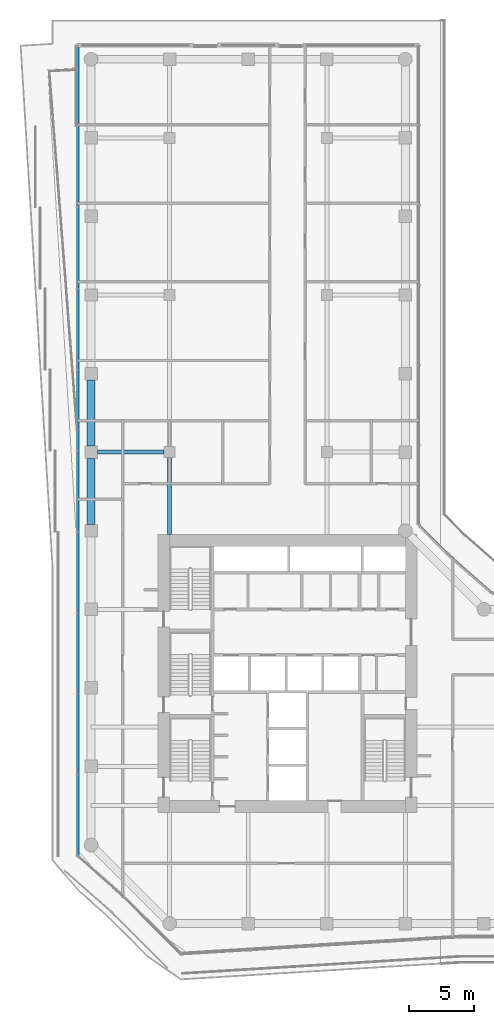
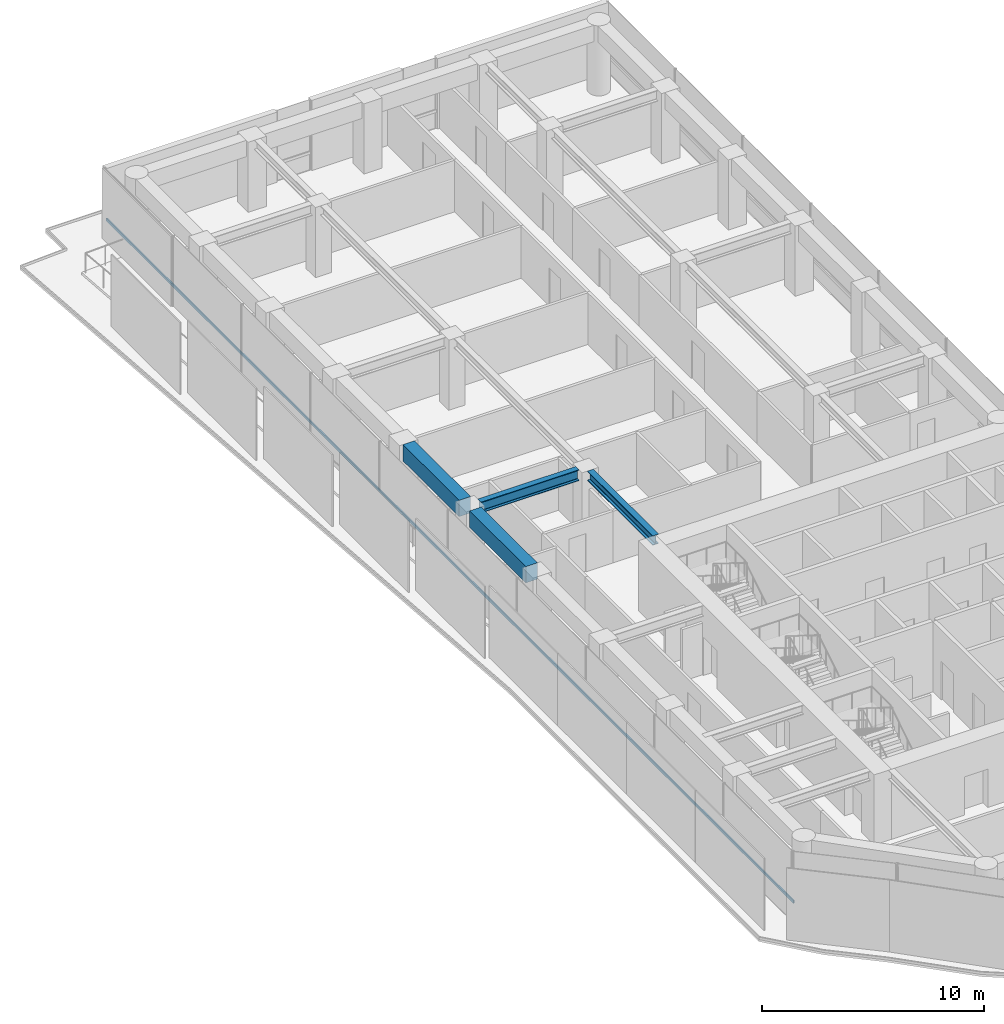
# One storey, part 13 of 29: 4 beams, 1 member, 1 element without a shape of its own.
"""IFC4 building model written with IfcOpenShell, lengths in metres."""

import ifcopenshell
import ifcopenshell.guid

model = None  # the IFC model being written
_history = None  # IfcOwnerHistory: only IFC2X3 demands one
_inside = {}  # id of a spatial element -> (the spatial element, [elements in it])
_under = {}  # id of a project, library or spatial element -> (it, [spatial elements below it])
_declared = {}  # id of a project -> (the project, [libraries it declares])
_typed = {}  # id of a type object -> (the type object, [elements of that type])
_made_of = {}  # id of a material, layer set ... -> (it, [elements and type objects made of it])


def new_model(schema):
    """Start an empty IFC model of exactly this schema.

    Asked for "IFC4X3", IfcOpenShell would pick the latest addendum, in which some entities
    have other attributes; the version numbers below select the first issue.
    IFC2X3 requires an IfcOwnerHistory on every rooted entity: one is made here for all.
    """
    global model, _history
    if schema == "IFC4X3":
        model = ifcopenshell.file(schema_version=(4, 3, 0, 0))
    else:
        model = ifcopenshell.file(schema=schema)
    _inside.clear()
    _under.clear()
    _declared.clear()
    _typed.clear()
    _made_of.clear()
    _history = None
    if model.schema == "IFC2X3":
        org = make("IfcOrganization", Name="unknown")
        user = make(
            "IfcPersonAndOrganization",
            ThePerson=make("IfcPerson", FamilyName="unknown"),
            TheOrganization=org,
        )
        app = make(
            "IfcApplication",
            ApplicationDeveloper=org,
            Version="unknown",
            ApplicationFullName="unknown",
            ApplicationIdentifier="unknown",
        )
        _history = make(
            "IfcOwnerHistory",
            OwningUser=user,
            OwningApplication=app,
            ChangeAction="ADDED",
            CreationDate=0,
        )
    return model


def make(cls, **values):
    """One entity of the class cls with the attributes given. An attribute that is None is left unset."""
    return model.create_entity(
        cls, **{name: value for name, value in values.items() if value is not None}
    )


def rooted(cls, **values):
    """An entity with a GlobalId (a new one), such as an element, a storey or a relation."""
    return make(cls, GlobalId=ifcopenshell.guid.new(), OwnerHistory=_history, **values)


def si_unit(unit_type, name, prefix=None):
    """IfcSIUnit, for example si_unit("LENGTHUNIT", "METRE", prefix="MILLI")."""
    return make("IfcSIUnit", UnitType=unit_type, Prefix=prefix, Name=name)


def assignment(units):
    """IfcUnitAssignment: the units of a project."""
    return None if units is None else make("IfcUnitAssignment", Units=units)


def point(xyz):
    """IfcCartesianPoint."""
    return None if xyz is None else make("IfcCartesianPoint", Coordinates=xyz)


def direction(xyz):
    """IfcDirection."""
    return None if xyz is None else make("IfcDirection", DirectionRatios=xyz)


def frame(location, z_axis=None, x_axis=None):
    """IfcAxis2Placement3D, a coordinate frame: its origin and axes. An axis left out is left unset."""
    return make(
        "IfcAxis2Placement3D",
        Location=point(location),
        Axis=direction(z_axis),
        RefDirection=direction(x_axis),
    )


def frame_2d(location, x_axis=None):
    """IfcAxis2Placement2D, a coordinate frame in the plane: its origin and x axis."""
    return make(
        "IfcAxis2Placement2D", Location=point(location), RefDirection=direction(x_axis)
    )


def origin():
    """The frame at (0, 0, 0) with its axes left unset."""
    return frame((0.0, 0.0, 0.0))


def origin_2d():
    """The frame at (0, 0) in the plane with its x axis left unset."""
    return frame_2d((0.0, 0.0))


def place(relative_to, where):
    """IfcLocalPlacement: puts the frame where relative to a parent placement (None: the world)."""
    return make(
        "IfcLocalPlacement", PlacementRelTo=relative_to, RelativePlacement=where
    )


def context(
    kind, dimensions, precision=None, world=None, true_north=None, identifier=None
):
    """IfcGeometricRepresentationContext, for example the 3D "Model" context."""
    return make(
        "IfcGeometricRepresentationContext",
        ContextIdentifier=identifier,
        ContextType=kind,
        CoordinateSpaceDimension=dimensions,
        Precision=precision,
        WorldCoordinateSystem=world,
        TrueNorth=true_north,
    )


def subcontext(parent, identifier, kind, view, scale=None):
    """IfcGeometricRepresentationSubContext, for example "Body" below "Model"."""
    return make(
        "IfcGeometricRepresentationSubContext",
        ContextIdentifier=identifier,
        ContextType=kind,
        ParentContext=parent,
        TargetScale=scale,
        TargetView=view,
    )


def project(units=None, contexts=None):
    """IfcProject with its units and contexts."""
    return rooted(
        "IfcProject",
        Name="project",
        RepresentationContexts=contexts,
        UnitsInContext=assignment(units),
    )


def spatial(cls, under=None, at=None, **own):
    """A site, building, storey or space (cls), placed at a placement, below another one or the project."""
    s = rooted(cls, ObjectPlacement=at, **own)
    if under is not None:
        _under.setdefault(under.id(), (under, []))[1].append(s)
    return s


def profile(cls, at=None, kind="AREA", **sizes):
    """A parametric profile (cls). Its sizes go by their IFC names, for example OverallWidth=200.0."""
    return make(cls, ProfileType=kind, Position=at, **sizes)


def rectangle(**sizes):
    """IfcRectangleProfileDef."""
    return profile("IfcRectangleProfileDef", **sizes)


def i_section(**sizes):
    """IfcIShapeProfileDef."""
    return profile("IfcIShapeProfileDef", **sizes)


def extrude(swept, where, along, depth):
    """IfcExtrudedAreaSolid: the profile swept, set in the frame where, extruded along a direction by depth."""
    return make(
        "IfcExtrudedAreaSolid",
        SweptArea=swept,
        Position=where,
        ExtrudedDirection=direction(along),
        Depth=depth,
    )


def shape(context_of_items, identifier, shape_type, items):
    """IfcShapeRepresentation: the items that make up one representation, for example the "Body"."""
    return make(
        "IfcShapeRepresentation",
        ContextOfItems=context_of_items,
        RepresentationIdentifier=identifier,
        RepresentationType=shape_type,
        Items=items,
    )


def material(Name=None, Category=None):
    """IfcMaterial."""
    return make("IfcMaterial", Name=Name, Category=Category)


def layer(
    of_material, thickness, ventilated=None, Name=None, Category=None, Priority=None
):
    """IfcMaterialLayer: one layer of a wall or slab, of a material (None: an air gap)."""
    return make(
        "IfcMaterialLayer",
        Material=of_material,
        LayerThickness=thickness,
        IsVentilated=ventilated,
        Name=Name,
        Category=Category,
        Priority=Priority,
    )


def layer_set(layers, Name=None):
    """IfcMaterialLayerSet."""
    return make("IfcMaterialLayerSet", MaterialLayers=layers, LayerSetName=Name)


def material_profile(
    of_material, cross_section, Name=None, Category=None, Priority=None
):
    """IfcMaterialProfile: a cross section and its material."""
    return make(
        "IfcMaterialProfile",
        Name=Name,
        Material=of_material,
        Profile=cross_section,
        Priority=Priority,
        Category=Category,
    )


def profile_set(profiles, Name=None, composite=None):
    """IfcMaterialProfileSet."""
    return make(
        "IfcMaterialProfileSet",
        Name=Name,
        MaterialProfiles=profiles,
        CompositeProfile=composite,
    )


def made_of(thing, what):
    """Note that an element or type object is made of a material, layer set ...; save() writes the relation."""
    if what is not None:
        _made_of.setdefault(what.id(), (what, []))[1].append(thing)
    return thing


def type_object(cls, material=None, **own):
    """A type object (cls), such as IfcWallType, which elements share."""
    return made_of(rooted(cls, **own), material)


def element(
    cls,
    number,
    at=None,
    inside=None,
    cuts=None,
    type_object=None,
    material=None,
    context=None,
    identifier="Body",
    shape_type=None,
    held_by="IfcProductDefinitionShape",
    body=None,
    shapes=None,
    **own,
):
    """One element of the class cls, such as IfcWall. Its Tag is "e" and its number.

    at: its placement. inside: the storey or other place that contains it. cuts: it is an
    opening in that element (IfcRelVoidsElement). A single representation is given by context,
    identifier, shape_type and body (its items); several are given by shapes. held_by: the class
    of the entity that holds the representations. save() writes the other relations.
    """
    e = rooted(cls, Tag="e%d" % number, ObjectPlacement=at, **own)
    if body is not None:
        shapes = [shape(context, identifier, shape_type, body)]
    if shapes is not None:
        e.Representation = make(held_by, Representations=shapes)
    if inside is not None:
        _inside.setdefault(inside.id(), (inside, []))[1].append(e)
    if cuts is not None:
        rooted(
            "IfcRelVoidsElement", RelatingBuildingElement=cuts, RelatedOpeningElement=e
        )
    if type_object is not None:
        _typed.setdefault(type_object.id(), (type_object, []))[1].append(e)
    return made_of(e, material)


def aggregate(whole, parts):
    """IfcRelAggregates: a whole, such as a stair, and the parts it consists of."""
    return rooted("IfcRelAggregates", RelatingObject=whole, RelatedObjects=parts)


def save(model, path):
    """Write the relations noted so far, then the file.

    IfcRelAggregates (storeys below a building ...), IfcRelContainedInSpatialStructure (elements
    in a storey), IfcRelDefinesByType, IfcRelAssociatesMaterial and IfcRelDeclares: one each for
    every whole, place, type object, material and project.
    """
    for whole, parts in _under.values():
        aggregate(whole, parts)
    for where, things in _inside.values():
        rooted(
            "IfcRelContainedInSpatialStructure",
            RelatedElements=things,
            RelatingStructure=where,
        )
    for kind, things in _typed.values():
        rooted("IfcRelDefinesByType", RelatedObjects=things, RelatingType=kind)
    for what, things in _made_of.values():
        rooted("IfcRelAssociatesMaterial", RelatedObjects=things, RelatingMaterial=what)
    for by, libraries in _declared.values():
        rooted("IfcRelDeclares", RelatingContext=by, RelatedDefinitions=libraries)
    model.write(path)


model = new_model("IFC4")

# Units and contexts
model_context = context("Model", 3, precision=1e-05, world=origin(), true_north=direction((0.0, 1.0)))
body_context = subcontext(model_context, "Body", "Model", "MODEL_VIEW")
ifc_project = project(units=[si_unit("LENGTHUNIT", "METRE"), si_unit("AREAUNIT", "SQUARE_METRE"), si_unit("VOLUMEUNIT", "CUBIC_METRE"), si_unit("PLANEANGLEUNIT", "RADIAN"), si_unit("MASSUNIT", "GRAM", prefix="KILO")], contexts=[model_context])

# Site, building, storey
site_placement = place(None, origin())
site = spatial("IfcSite", under=ifc_project, at=site_placement, CompositionType="ELEMENT")
building_placement = place(site_placement, origin())
building = spatial("IfcBuilding", under=site, at=building_placement, Name="Welwitschia Terrace Campus", CompositionType="ELEMENT")
storey_placement = place(building_placement, frame((0.0, 0.0, 66.800048828125)))
storey = spatial("IfcBuildingStorey", under=building, at=storey_placement, Name="L15", CompositionType="ELEMENT", Elevation=66.800048828125)

# Beams
ifc_material_1 = material(Name="Steel S355", Category="steel")
ifc_material_profile_1 = material_profile(ifc_material_1, i_section(OverallWidth=0.305908203125, OverallDepth=0.52392578125, WebThickness=0.02099609375, FlangeThickness=0.0400390625, FilletRadius=0.027099609375, at=origin_2d()))
ifc_profile_set_1 = profile_set([ifc_material_profile_1], Name="Steel S355")
beam_type_1 = type_object("IfcBeamType", Name="Interior girder HE 500 M", PredefinedType="BEAM", material=ifc_profile_set_1)
beam_1_placement = place(storey_placement, frame((6.0, 25.700927734375, 3.587890625), z_axis=(0.0, 1.0, 0.0), x_axis=(-1.0, 0.0, 0.0)))
element("IfcBeam", 1, at=beam_1_placement, inside=storey, type_object=beam_type_1, Name="Girder GB2", PredefinedType="BEAM", context=body_context, shape_type="SweptSolid", body=[
    extrude(i_section(OverallWidth=0.305908203125, OverallDepth=0.52392578125, WebThickness=0.02099609375, FlangeThickness=0.0400390625, FilletRadius=0.027099609375, at=origin_2d()), origin(), (0.0, 0.0, 1.0), 5.87353515625),
])
ifc_material_2 = material(Name="Steel S355", Category="steel")
ifc_material_profile_2 = material_profile(ifc_material_2, i_section(OverallWidth=0.300048828125, OverallDepth=0.60009765625, WebThickness=0.015380859375, FlangeThickness=0.030029296875, FilletRadius=0.027099609375, at=origin_2d()))
ifc_profile_set_2 = profile_set([ifc_material_profile_2], Name="Steel S355")
beam_type_2 = type_object("IfcBeamType", Name="Primary beam HE 600 B", PredefinedType="BEAM", material=ifc_profile_set_2)
beam_2_placement = place(storey_placement, frame((0.4755859375, 32.0, 3.550048828125), z_axis=(1.0, 0.0, 0.0), x_axis=(0.0, 1.0, 0.0)))
element("IfcBeam", 2, at=beam_2_placement, inside=storey, type_object=beam_type_2, Name="Primary beam PB2", PredefinedType="BEAM", context=body_context, shape_type="SweptSolid", body=[
    extrude(i_section(OverallWidth=0.300048828125, OverallDepth=0.60009765625, WebThickness=0.015380859375, FlangeThickness=0.030029296875, FilletRadius=0.027099609375, at=origin_2d()), origin(), (0.0, 0.0, 1.0), 5.098876953125),
])
ifc_material_3 = material(Name="Concrete C60/75", Category="concrete")
ifc_material_profile_3 = material_profile(ifc_material_3, rectangle(XDim=0.60009765625, YDim=0.89990234375, at=origin_2d()))
ifc_profile_set_3 = profile_set([ifc_material_profile_3], Name="Concrete C60/75")
beam_type_3 = type_object("IfcBeamType", Name="Ring spandrel 600x900", PredefinedType="SPANDREL", material=ifc_profile_set_3)
for number, where, z_axis, x_axis, name in (
    (3, (0.0, 37.5244140625, 3.39990234375), (0.0, -1.0, 0.0), (1.0, 0.0, 0.0), "Spandrel SP2"),
    (4, (0.0, 31.5244140625, 3.39990234375), (0.0, -1.0, 0.0), (1.0, 0.0, 0.0), "Spandrel SP2"),
):
    element("IfcBeam", number, at=place(storey_placement, frame(where, z_axis=z_axis, x_axis=x_axis)), inside=storey, type_object=beam_type_3, Name=name, PredefinedType="SPANDREL", context=body_context, shape_type="SweptSolid", body=[
        extrude(rectangle(XDim=0.60009765625, YDim=0.89990234375, at=origin_2d()), origin(), (0.0, 0.0, 1.0), 5.048828125),
    ])

# Curtain wall, member
ifc_material_4 = material(Name="Bronze anodised aluminium", Category="aluminium")
ifc_layer = layer(ifc_material_4, 0.1201171875)
ifc_layer_set = layer_set([ifc_layer], Name="Bronze anodised aluminium")
curtain_wall_type = type_object("IfcCurtainWallType", Name="Curtain wall CW2 tower 6000", PredefinedType="NOTDEFINED", material=ifc_layer_set)
curtain_wall_placement = place(storey_placement, origin())
curtain_wall = element("IfcCurtainWall", 5, at=curtain_wall_placement, inside=storey, type_object=curtain_wall_type, Name="CW L15.12.0", PredefinedType="NOTDEFINED")
ifc_material_5 = material(Name="Bronze anodised aluminium", Category="aluminium")
ifc_material_profile_4 = material_profile(ifc_material_5, rectangle(XDim=0.06005859375, YDim=0.14990234375, at=origin_2d()))
ifc_profile_set_4 = profile_set([ifc_material_profile_4], Name="Bronze anodised aluminium")
member_type = type_object("IfcMemberType", Name="Transom 60x150", PredefinedType="USERDEFINED", material=ifc_profile_set_4)
member_placement = place(storey_placement, frame((-0.968017578125, 62.998046875, 1.0), z_axis=(0.0, -1.0, 0.0), x_axis=(1.0, 0.0, 0.0)))
member = element("IfcMember", 6, at=member_placement, type_object=member_type, Name="Transom L15.12.0", ObjectType="TRANSOM", PredefinedType="USERDEFINED", context=body_context, shape_type="SweptSolid", body=[
    extrude(rectangle(XDim=0.06005859375, YDim=0.14990234375, at=origin_2d()), origin(), (0.0, 0.0, 1.0), 61.7890625),
])
aggregate(curtain_wall, [member])

save(model, "model.ifc")
